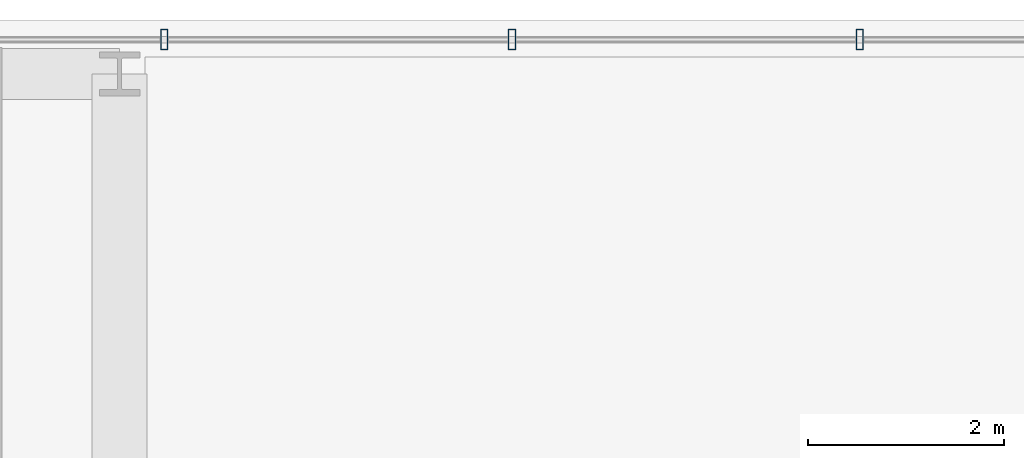
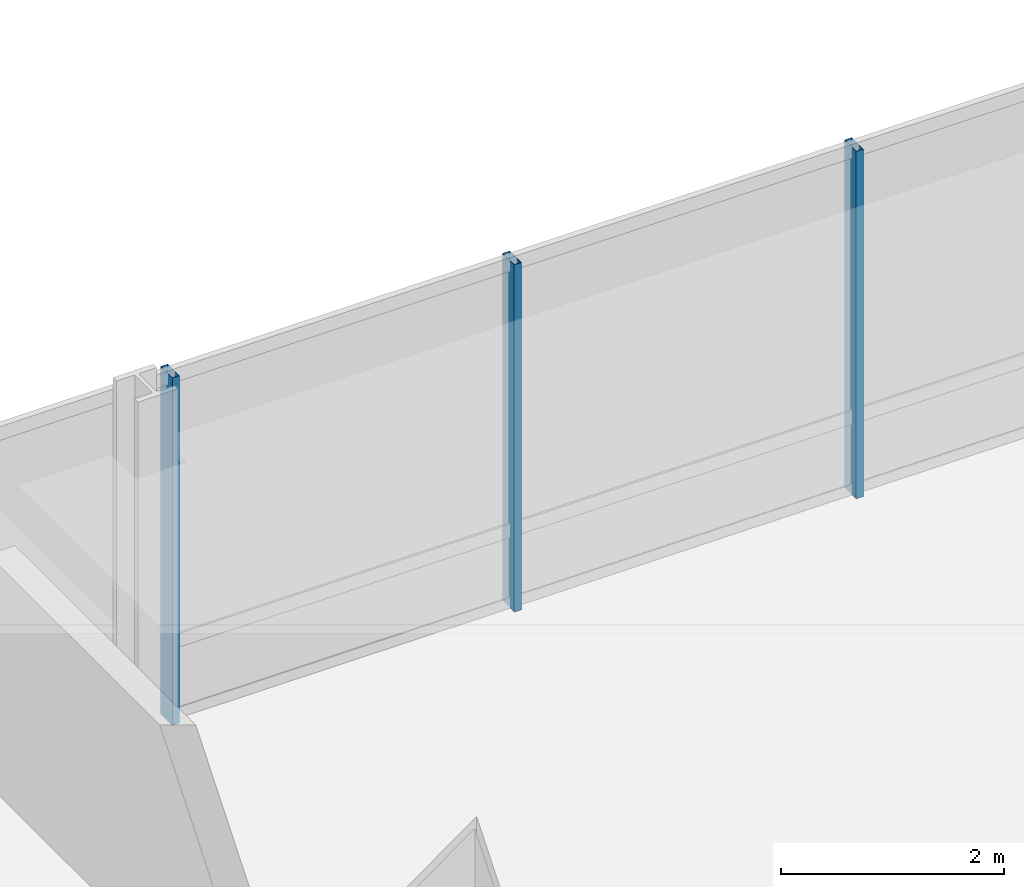
# One storey, part 24 of 35: 3 members, 1 element without a shape of its own.
"""IFC4 building model written with IfcOpenShell, lengths in metres."""

from ifc_helpers import new_model, si_unit, direction, frame, origin, origin_2d, place, context, subcontext, project, spatial, hollow_rectangle, extrude, material, material_profile, profile_set, type_object, element, aggregate, save


model = new_model("IFC4")

# Units and contexts
model_context = context("Model", 3, precision=1e-05, world=origin(), true_north=direction((0.0, 1.0)))
body_context = subcontext(model_context, "Body", "Model", "MODEL_VIEW")
ifc_project = project(units=[si_unit("LENGTHUNIT", "METRE"), si_unit("AREAUNIT", "SQUARE_METRE"), si_unit("VOLUMEUNIT", "CUBIC_METRE"), si_unit("PLANEANGLEUNIT", "RADIAN"), si_unit("MASSUNIT", "GRAM", prefix="KILO")], contexts=[model_context])

# Site, building, storey
site_placement = place(None, origin())
site = spatial("IfcSite", under=ifc_project, at=site_placement, CompositionType="ELEMENT")
building_placement = place(site_placement, origin())
building = spatial("IfcBuilding", under=site, at=building_placement, Name="Punatoya Terracotta Tower", CompositionType="ELEMENT")
storey_placement = place(building_placement, frame((0.0, 0.0, 113.25)))
storey = spatial("IfcBuildingStorey", under=building, at=storey_placement, Name="L26", CompositionType="ELEMENT", Elevation=113.25)

# Curtain wall, members
ifc_material_1 = material(Name="Aluminium 6063-T6 + Double Low-E Glass", Category="aluminium")
curtain_wall_type = type_object("IfcCurtainWallType", Name="CW-M1", PredefinedType="NOTDEFINED", material=ifc_material_1)
curtain_wall_placement = place(storey_placement, origin())
curtain_wall = element("IfcCurtainWall", 1, at=curtain_wall_placement, inside=storey, type_object=curtain_wall_type, Name="L26 Curtain Wall CW-L26-N08-1", PredefinedType="NOTDEFINED")
ifc_material_2 = material(Name="Aluminium 6063-T6", Category="aluminium")
ifc_material_profile = material_profile(ifc_material_2, hollow_rectangle(XDim=0.074951171875, YDim=0.2099609375, WallThickness=0.00439453125, at=origin_2d()))
ifc_profile_set = profile_set([ifc_material_profile], Name="Aluminium 6063-T6")
member_type = type_object("IfcMemberType", Name="CW-MUL-M1", PredefinedType="MULLION", material=ifc_profile_set)
member_1_placement = place(storey_placement, frame((11.3525390625, 23.25, 0.0), z_axis=(0.0, 0.0, 1.0), x_axis=(1.0, 0.0, 0.0)))
member_1 = element("IfcMember", 2, at=member_1_placement, type_object=member_type, Name="CW-L26-N08-1 Mullion 02", PredefinedType="MULLION", context=body_context, shape_type="SweptSolid", body=[
    extrude(hollow_rectangle(XDim=0.074951171875, YDim=0.2099609375, WallThickness=0.00439453125, at=origin_2d()), origin(), (0.0, 0.0, 1.0), 3.81005859375),
])
member_2_placement = place(storey_placement, frame((7.803955078125, 23.25, 0.0), z_axis=(0.0, 0.0, 1.0), x_axis=(1.0, 0.0, 0.0)))
member_2 = element("IfcMember", 3, at=member_2_placement, type_object=member_type, Name="CW-L26-N08-1 Mullion 03", PredefinedType="MULLION", context=body_context, shape_type="SweptSolid", body=[
    extrude(hollow_rectangle(XDim=0.074951171875, YDim=0.2099609375, WallThickness=0.00439453125, at=origin_2d()), origin(), (0.0, 0.0, 1.0), 3.81005859375),
])
member_3_placement = place(storey_placement, frame((4.255126953125, 23.25, 0.0), z_axis=(0.0, 0.0, 1.0), x_axis=(1.0, 0.0, 0.0)))
member_3 = element("IfcMember", 4, at=member_3_placement, type_object=member_type, Name="CW-L26-N08-1 Mullion 04", PredefinedType="MULLION", context=body_context, shape_type="SweptSolid", body=[
    extrude(hollow_rectangle(XDim=0.074951171875, YDim=0.2099609375, WallThickness=0.00439453125, at=origin_2d()), origin(), (0.0, 0.0, 1.0), 3.81005859375),
])
aggregate(curtain_wall, [member_1, member_2, member_3])

save(model, "model.ifc")
